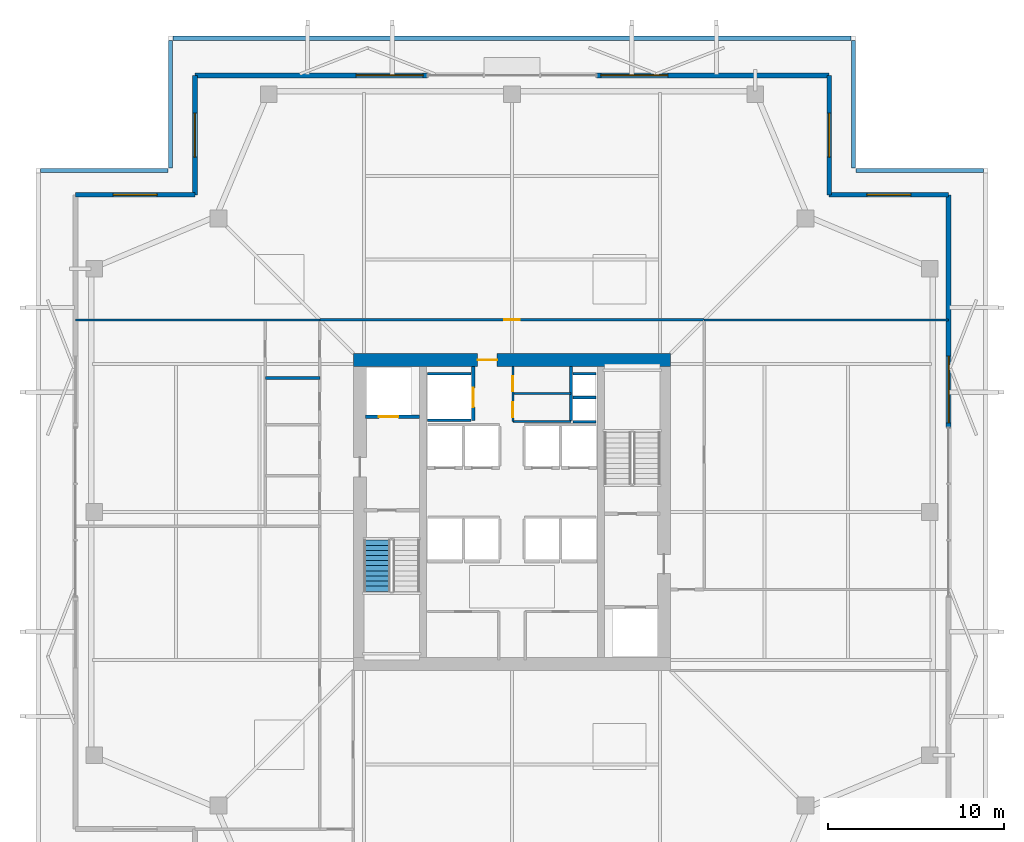
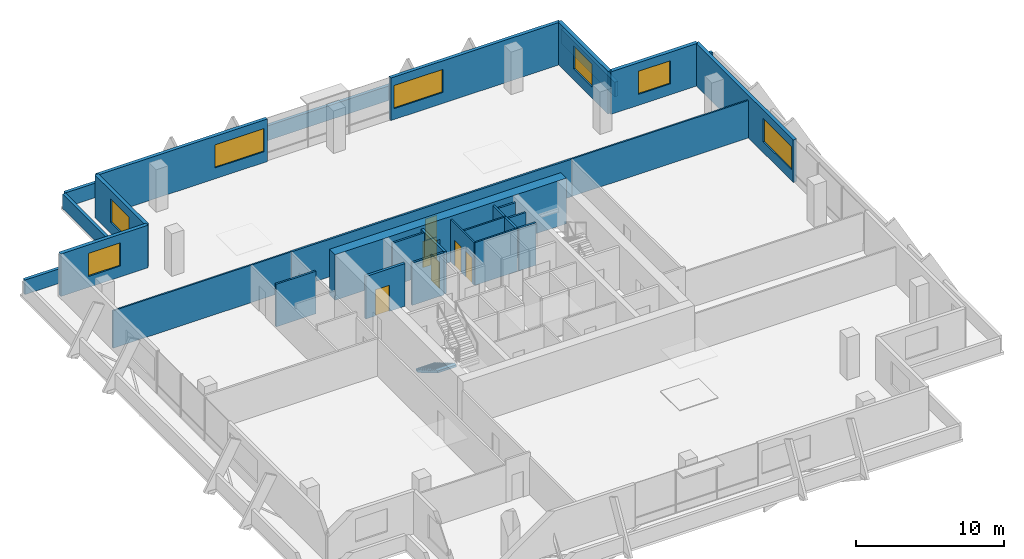
# One storey, part 14 of 17: 28 walls, 7 windows, 6 doors, 1 stair flight, 13 openings, 1 element without a shape of its own.
"""IFC4 building model written with IfcOpenShell, lengths in metres."""

from ifc_helpers import new_model, si_unit, direction, frame, frame_2d, origin, place, context, subcontext, project, spatial, polyline, rectangle, outline, extrude, material, layer, layer_set, type_object, element, fill, aggregate, save


model = new_model("IFC4")

# Units and contexts
model_context = context("Model", 3, precision=1e-05, world=origin(), true_north=direction((0.0, 1.0)))
body_context = subcontext(model_context, "Body", "Model", "MODEL_VIEW")
ifc_project = project(units=[si_unit("LENGTHUNIT", "METRE"), si_unit("AREAUNIT", "SQUARE_METRE"), si_unit("VOLUMEUNIT", "CUBIC_METRE"), si_unit("PLANEANGLEUNIT", "RADIAN"), si_unit("MASSUNIT", "GRAM", prefix="KILO")], contexts=[model_context])

# Site, building, storey
site_placement = place(None, origin())
site = spatial("IfcSite", under=ifc_project, at=site_placement, CompositionType="ELEMENT")
building_placement = place(site_placement, origin())
building = spatial("IfcBuilding", under=site, at=building_placement, Name="Belovzor Exchange Tower", CompositionType="ELEMENT")
storey_placement = place(building_placement, frame((0.0, 0.0, 246.60009765625)))
storey = spatial("IfcBuildingStorey", under=building, at=storey_placement, Name="L61", CompositionType="ELEMENT", Elevation=246.60009765625)

# Walls
ifc_material_1 = material(Name="Acoustic Plasterboard on Galvanised Studs", Category="gypsum")
ifc_layer_1 = layer(ifc_material_1, 0.1201171875)
ifc_layer_set_1 = layer_set([ifc_layer_1], Name="Acoustic Plasterboard on Galvanised Studs")
wall_type_1 = type_object("IfcWallType", Name="Acoustic Double-Stud Partition Wall 120", PredefinedType="PARTITIONING", material=ifc_layer_set_1)
wall_1_placement = place(storey_placement, frame((4.030029296875, 39.699951171875, 0.0), z_axis=(0.0, 0.0, 1.0), x_axis=(1.0, 0.0, 0.0)))
element("IfcWall", 1, at=wall_1_placement, inside=storey, type_object=wall_type_1, Name="W-P120 Partition Wall W-L61-END-NW", PredefinedType="PARTITIONING", context=body_context, shape_type="SweptSolid", body=[
    extrude(rectangle(XDim=13.869873046875, YDim=0.1201171875, at=frame_2d((6.93505859375, 0.0))), origin(), (0.0, 0.0, 1.0), 3.0849609375),
])
wall_2_placement = place(storey_placement, frame((39.699951171875, 39.699951171875, 0.0), z_axis=(0.0, 0.0, 1.0), x_axis=(1.0, 0.0, 0.0)))
element("IfcWall", 2, at=wall_2_placement, inside=storey, type_object=wall_type_1, Name="W-P120 Partition Wall W-L61-END-NE", PredefinedType="PARTITIONING", context=body_context, shape_type="SweptSolid", body=[
    extrude(rectangle(XDim=13.8701171875, YDim=0.1201171875, at=frame_2d((6.93505859375, 0.0))), origin(), (0.0, 0.0, 1.0), 3.0849609375),
])

# Wall, openings, doors
ifc_material_2 = material(Name="Fire-Rated Plasterboard on Galvanised Studs", Category="gypsum")
ifc_layer_2 = layer(ifc_material_2, 0.1201171875)
ifc_layer_set_2 = layer_set([ifc_layer_2], Name="Fire-Rated Plasterboard on Galvanised Studs")
wall_type_2 = type_object("IfcWallType", Name="Fire-Rated Double-Stud Partition Wall 120", PredefinedType="PARTITIONING", material=ifc_layer_set_2)
wall_3_placement = place(storey_placement, frame((28.85009765625, 33.925048828125, 0.0), z_axis=(0.0, 0.0, 1.0), x_axis=(0.0, 1.0, 0.0)))
wall_3 = element("IfcWall", 3, at=wall_3_placement, inside=storey, type_object=wall_type_2, Name="W-P120F Partition Wall W-CRV-L61-W", PredefinedType="PARTITIONING", context=body_context, shape_type="SweptSolid", body=[
    extrude(rectangle(XDim=3.125, YDim=0.1201171875, at=frame_2d((1.5625, 0.0))), origin(), (0.0, 0.0, 1.0), 3.5),
])
opening_1_placement = place(wall_3_placement, frame((0.25, 0.0, 0.0)))
opening_1 = element("IfcOpeningElement", 4, at=opening_1_placement, cuts=wall_3, Name="Opening D-FD60-085", PredefinedType="OPENING", context=body_context, shape_type="SweptSolid", body=[
    extrude(rectangle(XDim=0.85009765625, YDim=2.10009765625, at=frame_2d((0.425048828125, 1.050048828125))), frame((0.0, 0.070068359375, 0.0), z_axis=(0.0, -1.0, 0.0), x_axis=(1.0, 0.0, 0.0)), (0.0, 0.0, 1.0), 0.14013671875),
])
opening_2_placement = place(wall_3_placement, frame((1.719970703125, 0.0, 0.0)))
opening_2 = element("IfcOpeningElement", 5, at=opening_2_placement, cuts=wall_3, Name="Opening D-FD60-085", PredefinedType="OPENING", context=body_context, shape_type="SweptSolid", body=[
    extrude(rectangle(XDim=0.85009765625, YDim=2.10009765625, at=frame_2d((0.425048828125, 1.050048828125))), frame((0.0, 0.070068359375, 0.0), z_axis=(0.0, -1.0, 0.0), x_axis=(1.0, 0.0, 0.0)), (0.0, 0.0, 1.0), 0.14013671875),
])
ifc_material_3 = material(Name="Fire-Rated Steel Access Leaf", Category="steel")
door_type_1 = type_object("IfcDoorType", Name="Riser & Meter Closet Access Fire Door 850x2100", OperationType="NOTDEFINED", PredefinedType="DOOR", material=ifc_material_3)
door_1_placement = place(opening_1_placement, origin())
door_1 = element("IfcDoor", 6, at=door_1_placement, inside=storey, type_object=door_type_1, Name="D-FD60-085 Riser & Meter Closet Access Fire Door 850x2100", OperationType="SINGLE_SWING_LEFT", OverallHeight=2.10009765625, OverallWidth=0.85009765625, PredefinedType="DOOR", context=body_context, shape_type="SweptSolid", body=[
    extrude(rectangle(XDim=0.85009765625, YDim=2.10009765625, at=frame_2d((0.425048828125, 1.050048828125))), frame((0.0, 0.02490234375, 0.0), z_axis=(0.0, -1.0, 0.0), x_axis=(1.0, 0.0, 0.0)), (0.0, 0.0, 1.0), 0.050048828125),
])
fill(opening_1, door_1)
door_2_placement = place(opening_2_placement, origin())
door_2 = element("IfcDoor", 7, at=door_2_placement, inside=storey, type_object=door_type_1, Name="D-FD60-085 Riser & Meter Closet Access Fire Door 850x2100", OperationType="SINGLE_SWING_RIGHT", OverallHeight=2.10009765625, OverallWidth=0.85009765625, PredefinedType="DOOR", context=body_context, shape_type="SweptSolid", body=[
    extrude(rectangle(XDim=0.85009765625, YDim=2.10009765625, at=frame_2d((0.425048828125, 1.050048828125))), frame((0.0, 0.02490234375, 0.0), z_axis=(0.0, -1.0, 0.0), x_axis=(1.0, 0.0, 0.0)), (0.0, 0.0, 1.0), 0.050048828125),
])
fill(opening_2, door_2)

# Walls
for number, where, z_axis, x_axis, name in (
    (8, (28.85009765625, 35.52490234375, 0.0), (0.0, 0.0, 1.0), (1.0, 0.0, 0.0), "W-P120F Partition Wall W-CRV-L61-M"),
    (9, (28.85009765625, 33.925048828125, 0.0), (0.0, 0.0, 1.0), (1.0, 0.0, 0.0), "W-P120F Partition Wall W-CRV-L61-S"),
):
    element("IfcWall", number, at=place(storey_placement, frame(where, z_axis=z_axis, x_axis=x_axis)), inside=storey, type_object=wall_type_2, Name=name, PredefinedType="PARTITIONING", context=body_context, shape_type="SweptSolid", body=[
        extrude(rectangle(XDim=3.2998046875, YDim=0.1201171875, at=frame_2d((1.64990234375, 0.0))), origin(), (0.0, 0.0, 1.0), 3.5),
    ])
ifc_material_4 = material(Name="Fire-Rated Gypsum Block and Mineral Wool", Category="gypsum")
ifc_layer_3 = layer(ifc_material_4, 0.14990234375)
ifc_layer_set_3 = layer_set([ifc_layer_3], Name="Fire-Rated Gypsum Block and Mineral Wool")
wall_type_3 = type_object("IfcWallType", Name="Fire-Rated Gypsum Block Corridor Wall 150", PredefinedType="PARTITIONING", material=ifc_layer_set_3)
wall_4_placement = place(storey_placement, frame((14.800048828125, 36.39990234375, 0.0), z_axis=(0.0, 0.0, 1.0), x_axis=(1.0, 0.0, 0.0)))
element("IfcWall", 10, at=wall_4_placement, inside=storey, type_object=wall_type_3, Name="W-P150 Partition Wall W-L61-WCN", PredefinedType="PARTITIONING", context=body_context, shape_type="SweptSolid", body=[
    extrude(rectangle(XDim=3.099853515625, YDim=0.14990234375, at=frame_2d((1.5498046875, 0.0))), origin(), (0.0, 0.0, 1.0), 3.5),
])

# Wall, opening, door
wall_5_placement = place(storey_placement, frame((17.89990234375, 39.699951171875, 0.0), z_axis=(0.0, 0.0, 1.0), x_axis=(1.0, 0.0, 0.0)))
wall_5 = element("IfcWall", 11, at=wall_5_placement, inside=storey, type_object=wall_type_3, Name="W-P150 Partition Wall W-L61-CN", PredefinedType="PARTITIONING", context=body_context, shape_type="SweptSolid", body=[
    extrude(rectangle(XDim=21.800048828125, YDim=0.14990234375, at=frame_2d((10.89990234375, 0.0))), origin(), (0.0, 0.0, 1.0), 3.0849609375),
])
opening_3_placement = place(wall_5_placement, frame((10.449951171875, 0.0, 0.0)))
opening_3 = element("IfcOpeningElement", 12, at=opening_3_placement, cuts=wall_5, Name="Opening D-INT-090", PredefinedType="OPENING", context=body_context, shape_type="SweptSolid", body=[
    extrude(rectangle(XDim=0.89990234375, YDim=2.10009765625, at=frame_2d((0.449951171875, 1.050048828125))), frame((0.0, 0.0849609375, 0.0), z_axis=(0.0, -1.0, 0.0), x_axis=(1.0, 0.0, 0.0)), (0.0, 0.0, 1.0), 0.169921875),
])
ifc_material_5 = material(Name="Veneered Hardwood Acoustic Leaf", Category="wood")
door_type_2 = type_object("IfcDoorType", Name="Trading Suite Acoustic Single Door 900x2100", OperationType="NOTDEFINED", PredefinedType="DOOR", material=ifc_material_5)
door_3_placement = place(opening_3_placement, origin())
door_3 = element("IfcDoor", 13, at=door_3_placement, inside=storey, type_object=door_type_2, Name="D-INT-090 Trading Suite Acoustic Single Door 900x2100", OperationType="SINGLE_SWING_LEFT", OverallHeight=2.10009765625, OverallWidth=0.89990234375, PredefinedType="DOOR", context=body_context, shape_type="SweptSolid", body=[
    extrude(rectangle(XDim=0.89990234375, YDim=2.10009765625, at=frame_2d((0.449951171875, 1.050048828125))), frame((0.0, 0.02490234375, 0.0), z_axis=(0.0, -1.0, 0.0), x_axis=(1.0, 0.0, 0.0)), (0.0, 0.0, 1.0), 0.050048828125),
])
fill(opening_3, door_3)

# Wall, opening, window
ifc_material_6 = material(Name="Precast concrete C40/50", Category="concrete")
ifc_layer_4 = layer(ifc_material_6, 0.280029296875)
ifc_layer_set_4 = layer_set([ifc_layer_4], Name="Precast concrete C40/50")
wall_type_4 = type_object("IfcWallType", Name="Precast Concrete Notched Corner Frame Wall 280", PredefinedType="SOLIDWALL", material=ifc_layer_set_4)
wall_6_placement = place(storey_placement, frame((4.030029296875, 46.800048828125, 0.0), z_axis=(0.0, 0.0, 1.0), x_axis=(1.0, 0.0, 0.0)))
wall_6 = element("IfcWall", 14, at=wall_6_placement, inside=storey, type_object=wall_type_4, Name="W-CRN280 Precast Concrete Notched Corner Frame Wall 280 L61", PredefinedType="SOLIDWALL", context=body_context, shape_type="SweptSolid", body=[
    extrude(rectangle(XDim=6.77001953125, YDim=0.280029296875, at=frame_2d((3.385009765625, 0.0))), origin(), (0.0, 0.0, 1.0), 3.5),
])
opening_4_placement = place(wall_6_placement, frame((2.135009765625, 0.0, 0.89990234375)))
opening_4 = element("IfcOpeningElement", 15, at=opening_4_placement, cuts=wall_6, Name="Opening WN-CRN250", PredefinedType="OPENING", context=body_context, shape_type="SweptSolid", body=[
    extrude(rectangle(XDim=2.5, YDim=1.89990234375, at=frame_2d((1.25, 0.949951171875))), frame((0.0, 0.14990234375, 0.0), z_axis=(0.0, -1.0, 0.0), x_axis=(1.0, 0.0, 0.0)), (0.0, 0.0, 1.0), 0.300048828125),
])
ifc_material_7 = material(Name="Thermally Broken Aluminium and Triple Glazing", Category="aluminium")
window_type_1 = type_object("IfcWindowType", Name="Streamline Moderne Corner Wrap Ribbon Window 2500x1900", PartitioningType="SINGLE_PANEL", PredefinedType="WINDOW", material=ifc_material_7)
window_1_placement = place(opening_4_placement, origin())
window_1 = element("IfcWindow", 16, at=window_1_placement, inside=storey, type_object=window_type_1, Name="WN-CRN250 Streamline Moderne Corner Wrap Ribbon Window 2500x1900", OverallHeight=1.89990234375, OverallWidth=2.5, PartitioningType="SINGLE_PANEL", PredefinedType="WINDOW", context=body_context, shape_type="SweptSolid", body=[
    extrude(rectangle(XDim=2.5, YDim=1.89990234375, at=frame_2d((1.25, 0.949951171875))), frame((0.0, 0.030029296875, 0.0), z_axis=(0.0, -1.0, 0.0), x_axis=(1.0, 0.0, 0.0)), (0.0, 0.0, 1.0), 0.06005859375),
])
fill(opening_4, window_1)

wall_7_placement = place(storey_placement, frame((10.800048828125, 46.800048828125, 0.0), z_axis=(0.0, 0.0, 1.0), x_axis=(0.0, 1.0, 0.0)))
wall_7 = element("IfcWall", 17, at=wall_7_placement, inside=storey, type_object=wall_type_4, Name="W-CRN280 Precast Concrete Notched Corner Frame Wall 280 L61", PredefinedType="SOLIDWALL", context=body_context, shape_type="SweptSolid", body=[
    extrude(rectangle(XDim=6.77001953125, YDim=0.280029296875, at=frame_2d((3.385009765625, 0.0))), origin(), (0.0, 0.0, 1.0), 3.5),
])
opening_5_placement = place(wall_7_placement, frame((2.135009765625, 0.0, 0.89990234375)))
opening_5 = element("IfcOpeningElement", 18, at=opening_5_placement, cuts=wall_7, Name="Opening WN-CRN250", PredefinedType="OPENING", context=body_context, shape_type="SweptSolid", body=[
    extrude(rectangle(XDim=2.5, YDim=1.89990234375, at=frame_2d((1.25, 0.949951171875))), frame((0.0, 0.14990234375, 0.0), z_axis=(0.0, -1.0, 0.0), x_axis=(1.0, 0.0, 0.0)), (0.0, 0.0, 1.0), 0.300048828125),
])
window_2_placement = place(opening_5_placement, origin())
window_2 = element("IfcWindow", 19, at=window_2_placement, inside=storey, type_object=window_type_1, Name="WN-CRN250 Streamline Moderne Corner Wrap Ribbon Window 2500x1900", OverallHeight=1.89990234375, OverallWidth=2.5, PartitioningType="SINGLE_PANEL", PredefinedType="WINDOW", context=body_context, shape_type="SweptSolid", body=[
    extrude(rectangle(XDim=2.5, YDim=1.89990234375, at=frame_2d((1.25, 0.949951171875))), frame((0.0, 0.030029296875, 0.0), z_axis=(0.0, -1.0, 0.0), x_axis=(1.0, 0.0, 0.0)), (0.0, 0.0, 1.0), 0.06005859375),
])
fill(opening_5, window_2)

wall_8_placement = place(storey_placement, frame((46.800048828125, 53.570068359375, 0.0), z_axis=(0.0, 0.0, 1.0), x_axis=(0.0, -1.0, 0.0)))
wall_8 = element("IfcWall", 20, at=wall_8_placement, inside=storey, type_object=wall_type_4, Name="W-CRN280 Precast Concrete Notched Corner Frame Wall 280 L61", PredefinedType="SOLIDWALL", context=body_context, shape_type="SweptSolid", body=[
    extrude(rectangle(XDim=6.77001953125, YDim=0.280029296875, at=frame_2d((3.385009765625, 0.0))), origin(), (0.0, 0.0, 1.0), 3.5),
])
opening_6_placement = place(wall_8_placement, frame((2.135009765625, 0.0, 0.89990234375)))
opening_6 = element("IfcOpeningElement", 21, at=opening_6_placement, cuts=wall_8, Name="Opening WN-CRN250", PredefinedType="OPENING", context=body_context, shape_type="SweptSolid", body=[
    extrude(rectangle(XDim=2.5, YDim=1.89990234375, at=frame_2d((1.25, 0.949951171875))), frame((0.0, 0.14990234375, 0.0), z_axis=(0.0, -1.0, 0.0), x_axis=(1.0, 0.0, 0.0)), (0.0, 0.0, 1.0), 0.300048828125),
])
window_3_placement = place(opening_6_placement, origin())
window_3 = element("IfcWindow", 22, at=window_3_placement, inside=storey, type_object=window_type_1, Name="WN-CRN250 Streamline Moderne Corner Wrap Ribbon Window 2500x1900", OverallHeight=1.89990234375, OverallWidth=2.5, PartitioningType="SINGLE_PANEL", PredefinedType="WINDOW", context=body_context, shape_type="SweptSolid", body=[
    extrude(rectangle(XDim=2.5, YDim=1.89990234375, at=frame_2d((1.25, 0.949951171875))), frame((0.0, 0.030029296875, 0.0), z_axis=(0.0, -1.0, 0.0), x_axis=(1.0, 0.0, 0.0)), (0.0, 0.0, 1.0), 0.06005859375),
])
fill(opening_6, window_3)

wall_9_placement = place(storey_placement, frame((46.800048828125, 46.800048828125, 0.0), z_axis=(0.0, 0.0, 1.0), x_axis=(1.0, 0.0, 0.0)))
wall_9 = element("IfcWall", 23, at=wall_9_placement, inside=storey, type_object=wall_type_4, Name="W-CRN280 Precast Concrete Notched Corner Frame Wall 280 L61", PredefinedType="SOLIDWALL", context=body_context, shape_type="SweptSolid", body=[
    extrude(rectangle(XDim=6.77001953125, YDim=0.280029296875, at=frame_2d((3.385009765625, 0.0))), origin(), (0.0, 0.0, 1.0), 3.5),
])
opening_7_placement = place(wall_9_placement, frame((2.135009765625, 0.0, 0.89990234375)))
opening_7 = element("IfcOpeningElement", 24, at=opening_7_placement, cuts=wall_9, Name="Opening WN-CRN250", PredefinedType="OPENING", context=body_context, shape_type="SweptSolid", body=[
    extrude(rectangle(XDim=2.5, YDim=1.89990234375, at=frame_2d((1.25, 0.949951171875))), frame((0.0, 0.14990234375, 0.0), z_axis=(0.0, -1.0, 0.0), x_axis=(1.0, 0.0, 0.0)), (0.0, 0.0, 1.0), 0.300048828125),
])
window_4_placement = place(opening_7_placement, origin())
window_4 = element("IfcWindow", 25, at=window_4_placement, inside=storey, type_object=window_type_1, Name="WN-CRN250 Streamline Moderne Corner Wrap Ribbon Window 2500x1900", OverallHeight=1.89990234375, OverallWidth=2.5, PartitioningType="SINGLE_PANEL", PredefinedType="WINDOW", context=body_context, shape_type="SweptSolid", body=[
    extrude(rectangle(XDim=2.5, YDim=1.89990234375, at=frame_2d((1.25, 0.949951171875))), frame((0.0, 0.030029296875, 0.0), z_axis=(0.0, -1.0, 0.0), x_axis=(1.0, 0.0, 0.0)), (0.0, 0.0, 1.0), 0.06005859375),
])
fill(opening_7, window_4)

ifc_material_8 = material(Name="Precast concrete C40/50", Category="concrete")
ifc_layer_5 = layer(ifc_material_8, 0.260009765625)
ifc_layer_set_5 = layer_set([ifc_layer_5], Name="Precast concrete C40/50")
wall_type_5 = type_object("IfcWallType", Name="Precast Concrete Perimeter Loggia Frame Wall 260", PredefinedType="SOLIDWALL", material=ifc_layer_set_5)
wall_10_placement = place(storey_placement, frame((10.800048828125, 53.570068359375, 0.0), z_axis=(0.0, 0.0, 1.0), x_axis=(1.0, 0.0, 0.0)))
wall_10 = element("IfcWall", 26, at=wall_10_placement, inside=storey, type_object=wall_type_5, Name="W-EXT260 Precast Concrete Perimeter Loggia Frame Wall 260 L61", PredefinedType="SOLIDWALL", context=body_context, shape_type="SweptSolid", body=[
    extrude(rectangle(XDim=13.199951171875, YDim=0.260009765625, at=frame_2d((6.60009765625, 0.0))), origin(), (0.0, 0.0, 1.0), 3.5),
])
opening_8_placement = place(wall_10_placement, frame((9.14990234375, 0.0, 0.89990234375)))
opening_8 = element("IfcOpeningElement", 27, at=opening_8_placement, cuts=wall_10, Name="Opening WN-RIB380", PredefinedType="OPENING", context=body_context, shape_type="SweptSolid", body=[
    extrude(rectangle(XDim=3.800048828125, YDim=1.89990234375, at=frame_2d((1.89990234375, 0.949951171875))), frame((0.0, 0.139892578125, 0.0), z_axis=(0.0, -1.0, 0.0), x_axis=(1.0, 0.0, 0.0)), (0.0, 0.0, 1.0), 0.280029296875),
])
ifc_material_9 = material(Name="Thermally Broken Aluminium and Triple Glazing", Category="aluminium")
window_type_2 = type_object("IfcWindowType", Name="Streamline Moderne Horizontal Ribbon Window 3800x1900", PartitioningType="SINGLE_PANEL", PredefinedType="WINDOW", material=ifc_material_9)
window_5_placement = place(opening_8_placement, origin())
window_5 = element("IfcWindow", 28, at=window_5_placement, inside=storey, type_object=window_type_2, Name="WN-RIB380 Streamline Moderne Horizontal Ribbon Window 3800x1900", OverallHeight=1.89990234375, OverallWidth=3.800048828125, PartitioningType="SINGLE_PANEL", PredefinedType="WINDOW", context=body_context, shape_type="SweptSolid", body=[
    extrude(rectangle(XDim=3.800048828125, YDim=1.89990234375, at=frame_2d((1.89990234375, 0.949951171875))), frame((0.0, 0.030029296875, 0.0), z_axis=(0.0, -1.0, 0.0), x_axis=(1.0, 0.0, 0.0)), (0.0, 0.0, 1.0), 0.06005859375),
])
fill(opening_8, window_5)

wall_11_placement = place(storey_placement, frame((33.60009765625, 53.570068359375, 0.0), z_axis=(0.0, 0.0, 1.0), x_axis=(1.0, 0.0, 0.0)))
wall_11 = element("IfcWall", 29, at=wall_11_placement, inside=storey, type_object=wall_type_5, Name="W-EXT260 Precast Concrete Perimeter Loggia Frame Wall 260 L61", PredefinedType="SOLIDWALL", context=body_context, shape_type="SweptSolid", body=[
    extrude(rectangle(XDim=13.199951171875, YDim=0.260009765625, at=frame_2d((6.60009765625, 0.0))), origin(), (0.0, 0.0, 1.0), 3.5),
])
opening_9_placement = place(wall_11_placement, frame((0.25, 0.0, 0.89990234375)))
opening_9 = element("IfcOpeningElement", 30, at=opening_9_placement, cuts=wall_11, Name="Opening WN-RIB380", PredefinedType="OPENING", context=body_context, shape_type="SweptSolid", body=[
    extrude(rectangle(XDim=3.800048828125, YDim=1.89990234375, at=frame_2d((1.89990234375, 0.949951171875))), frame((0.0, 0.139892578125, 0.0), z_axis=(0.0, -1.0, 0.0), x_axis=(1.0, 0.0, 0.0)), (0.0, 0.0, 1.0), 0.280029296875),
])
window_6_placement = place(opening_9_placement, origin())
window_6 = element("IfcWindow", 31, at=window_6_placement, inside=storey, type_object=window_type_2, Name="WN-RIB380 Streamline Moderne Horizontal Ribbon Window 3800x1900", OverallHeight=1.89990234375, OverallWidth=3.800048828125, PartitioningType="SINGLE_PANEL", PredefinedType="WINDOW", context=body_context, shape_type="SweptSolid", body=[
    extrude(rectangle(XDim=3.800048828125, YDim=1.89990234375, at=frame_2d((1.89990234375, 0.949951171875))), frame((0.0, 0.030029296875, 0.0), z_axis=(0.0, -1.0, 0.0), x_axis=(1.0, 0.0, 0.0)), (0.0, 0.0, 1.0), 0.06005859375),
])
fill(opening_9, window_6)

wall_12_placement = place(storey_placement, frame((53.570068359375, 46.800048828125, 0.0), z_axis=(0.0, 0.0, 1.0), x_axis=(0.0, -1.0, 0.0)))
wall_12 = element("IfcWall", 32, at=wall_12_placement, inside=storey, type_object=wall_type_5, Name="W-EXT260 Precast Concrete Perimeter Loggia Frame Wall 260 L61", PredefinedType="SOLIDWALL", context=body_context, shape_type="SweptSolid", body=[
    extrude(rectangle(XDim=13.199951171875, YDim=0.260009765625, at=frame_2d((6.60009765625, 0.0))), origin(), (0.0, 0.0, 1.0), 3.5),
])
opening_10_placement = place(wall_12_placement, frame((9.14990234375, 0.0, 0.89990234375)))
opening_10 = element("IfcOpeningElement", 33, at=opening_10_placement, cuts=wall_12, Name="Opening WN-RIB380", PredefinedType="OPENING", context=body_context, shape_type="SweptSolid", body=[
    extrude(rectangle(XDim=3.800048828125, YDim=1.89990234375, at=frame_2d((1.89990234375, 0.949951171875))), frame((0.0, 0.139892578125, 0.0), z_axis=(0.0, -1.0, 0.0), x_axis=(1.0, 0.0, 0.0)), (0.0, 0.0, 1.0), 0.280029296875),
])
window_7_placement = place(opening_10_placement, origin())
window_7 = element("IfcWindow", 34, at=window_7_placement, inside=storey, type_object=window_type_2, Name="WN-RIB380 Streamline Moderne Horizontal Ribbon Window 3800x1900", OverallHeight=1.89990234375, OverallWidth=3.800048828125, PartitioningType="SINGLE_PANEL", PredefinedType="WINDOW", context=body_context, shape_type="SweptSolid", body=[
    extrude(rectangle(XDim=3.800048828125, YDim=1.89990234375, at=frame_2d((1.89990234375, 0.949951171875))), frame((0.0, 0.030029296875, 0.0), z_axis=(0.0, -1.0, 0.0), x_axis=(1.0, 0.0, 0.0)), (0.0, 0.0, 1.0), 0.06005859375),
])
fill(opening_10, window_7)

# Walls
ifc_material_10 = material(Name="Precast concrete C40/50", Category="concrete")
ifc_layer_6 = layer(ifc_material_10, 0.239990234375)
ifc_layer_set_6 = layer_set([ifc_layer_6], Name="Precast concrete C40/50")
wall_type_6 = type_object("IfcWallType", Name="Precast Stone Setback Roof Parapet Wall 240", PredefinedType="PARAPET", material=ifc_layer_set_6)
for number, where, z_axis, x_axis, name in (
    (35, (55.544921875, 48.179931640625, 0.0), (0.0, 0.0, 1.0), (-1.0, 0.0, 0.0), "W-PAR240 Precast Stone Setback Roof Parapet Wall 240 L61"),
    (36, (48.179931640625, 48.31494140625, 0.0), (0.0, 0.0, 1.0), (0.0, 1.0, 0.0), "W-PAR240 Precast Stone Setback Roof Parapet Wall 240 L61"),
):
    element("IfcWall", number, at=place(storey_placement, frame(where, z_axis=z_axis, x_axis=x_axis)), inside=storey, type_object=wall_type_6, Name=name, PredefinedType="PARAPET", context=body_context, shape_type="SweptSolid", body=[
        extrude(rectangle(XDim=7.22998046875, YDim=0.239990234375, at=frame_2d((3.614990234375, 0.0))), origin(), (0.0, 0.0, 1.0), 1.199951171875),
    ])
wall_13_placement = place(storey_placement, frame((48.044921875, 55.679931640625, 0.0), z_axis=(0.0, 0.0, 1.0), x_axis=(-1.0, 0.0, 0.0)))
element("IfcWall", 37, at=wall_13_placement, inside=storey, type_object=wall_type_6, Name="W-PAR240 Precast Stone Setback Roof Parapet Wall 240 L61", PredefinedType="PARAPET", context=body_context, shape_type="SweptSolid", body=[
    extrude(rectangle(XDim=38.489990234375, YDim=0.239990234375, at=frame_2d((19.2451171875, 0.0))), origin(), (0.0, 0.0, 1.0), 1.199951171875),
])
for number, where, z_axis, x_axis, name in (
    (38, (9.419921875, 55.544921875, 0.0), (0.0, 0.0, 1.0), (0.0, -1.0, 0.0), "W-PAR240 Precast Stone Setback Roof Parapet Wall 240 L61"),
    (39, (9.284912109375, 48.179931640625, 0.0), (0.0, 0.0, 1.0), (-1.0, 0.0, 0.0), "W-PAR240 Precast Stone Setback Roof Parapet Wall 240 L61"),
):
    element("IfcWall", number, at=place(storey_placement, frame(where, z_axis=z_axis, x_axis=x_axis)), inside=storey, type_object=wall_type_6, Name=name, PredefinedType="PARAPET", context=body_context, shape_type="SweptSolid", body=[
        extrude(rectangle(XDim=7.22998046875, YDim=0.239990234375, at=frame_2d((3.614990234375, 0.0))), origin(), (0.0, 0.0, 1.0), 1.199951171875),
    ])
ifc_material_11 = material(Name="Concrete C50/60", Category="concrete")
ifc_layer_7 = layer(ifc_material_11, 0.14990234375)
ifc_layer_set_7 = layer_set([ifc_layer_7], Name="Concrete C50/60")
wall_type_7 = type_object("IfcWallType", Name="Reinforced Concrete Core Riser Shear Wall 150", PredefinedType="SHEAR", material=ifc_layer_set_7)
wall_14_placement = place(storey_placement, frame((32.14990234375, 34.0, 0.0), z_axis=(0.0, 0.0, 1.0), x_axis=(0.0, 1.0, 0.0)))
element("IfcWall", 40, at=wall_14_placement, inside=storey, type_object=wall_type_7, Name="W-C150S Core Shaft Wall W-RSR-L61-E", PredefinedType="SHEAR", context=body_context, shape_type="SweptSolid", body=[
    extrude(rectangle(XDim=3.050048828125, YDim=0.14990234375, at=frame_2d((1.52490234375, 0.0))), origin(), (0.0, 0.0, 1.0), 3.5),
])
for number, where, z_axis, x_axis, name in (
    (41, (32.25, 33.925048828125, 0.0), (0.0, 0.0, 1.0), (1.0, 0.0, 0.0), "W-C150S Core Shaft Wall W-RSR-L61-S"),
    (42, (32.25, 35.300048828125, 0.0), (0.0, 0.0, 1.0), (1.0, 0.0, 0.0), "W-C150S Core Shaft Wall W-RSR-L61-M"),
):
    element("IfcWall", number, at=place(storey_placement, frame(where, z_axis=z_axis, x_axis=x_axis)), inside=storey, type_object=wall_type_7, Name=name, PredefinedType="SHEAR", context=body_context, shape_type="SweptSolid", body=[
        extrude(rectangle(XDim=1.330078125, YDim=0.14990234375, at=frame_2d((0.6650390625, 0.0))), origin(), (0.0, 0.0, 1.0), 3.5),
    ])
for number, where, z_axis, x_axis, name in (
    (43, (24.0, 34.0, 0.0), (0.0, 0.0, 1.0), (1.0, 0.0, 0.0), "W-C150S Core Shaft Wall W-SH-L61-SL-01S"),
    (44, (24.0, 36.64990234375, 0.0), (0.0, 0.0, 1.0), (1.0, 0.0, 0.0), "W-C150S Core Shaft Wall W-SH-L61-SL-01N"),
):
    element("IfcWall", number, at=place(storey_placement, frame(where, z_axis=z_axis, x_axis=x_axis)), inside=storey, type_object=wall_type_7, Name=name, PredefinedType="SHEAR", context=body_context, shape_type="SweptSolid", body=[
        extrude(rectangle(XDim=2.47998046875, YDim=0.14990234375, at=frame_2d((1.239990234375, 0.0))), origin(), (0.0, 0.0, 1.0), 3.5),
    ])
wall_15_placement = place(storey_placement, frame((32.25, 36.64990234375, 0.0), z_axis=(0.0, 0.0, 1.0), x_axis=(1.0, 0.0, 0.0)))
element("IfcWall", 45, at=wall_15_placement, inside=storey, type_object=wall_type_7, Name="W-C150S Core Shaft Wall W-RSR-L61-N", PredefinedType="SHEAR", context=body_context, shape_type="SweptSolid", body=[
    extrude(rectangle(XDim=1.330078125, YDim=0.14990234375, at=frame_2d((0.6650390625, 0.0))), origin(), (0.0, 0.0, 1.0), 3.5),
])

# Wall, opening, door
ifc_material_12 = material(Name="Concrete C50/60", Category="concrete")
ifc_layer_8 = layer(ifc_material_12, 0.199951171875)
ifc_layer_set_8 = layer_set([ifc_layer_8], Name="Concrete C50/60")
wall_type_8 = type_object("IfcWallType", Name="Reinforced Concrete Core Shaft Shear Wall 200", PredefinedType="SHEAR", material=ifc_layer_set_8)
wall_16_placement = place(storey_placement, frame((20.5, 34.199951171875, 0.0), z_axis=(0.0, 0.0, 1.0), x_axis=(1.0, 0.0, 0.0)))
wall_16 = element("IfcWall", 46, at=wall_16_placement, inside=storey, type_object=wall_type_8, Name="W-C200S Core Shaft Wall W-SH-L61-FFL-01", PredefinedType="SHEAR", context=body_context, shape_type="SweptSolid", body=[
    extrude(rectangle(XDim=3.050048828125, YDim=0.199951171875, at=frame_2d((1.52490234375, 0.0))), origin(), (0.0, 0.0, 1.0), 3.5),
])
opening_11_placement = place(wall_16_placement, frame((0.75, 0.0, 0.0)))
opening_11 = element("IfcOpeningElement", 47, at=opening_11_placement, cuts=wall_16, Name="Opening LD-110", PredefinedType="OPENING", context=body_context, shape_type="SweptSolid", body=[
    extrude(rectangle(XDim=1.10009765625, YDim=2.14990234375, at=frame_2d((0.550048828125, 1.074951171875))), frame((0.0, 0.10986328125, 0.0), z_axis=(0.0, -1.0, 0.0), x_axis=(1.0, 0.0, 0.0)), (0.0, 0.0, 1.0), 0.219970703125),
])
ifc_material_13 = material(Name="Stainless Steel Grade 304", Category="steel")
door_type_3 = type_object("IfcDoorType", Name="Automated Stainless Steel Lift Landing Door 1100x2150", OperationType="SLIDING_TO_RIGHT", PredefinedType="DOOR", material=ifc_material_13)
door_4_placement = place(opening_11_placement, origin())
door_4 = element("IfcDoor", 48, at=door_4_placement, inside=storey, type_object=door_type_3, Name="LD-110 Automated Stainless Steel Lift Landing Door 1100x2150", OperationType="SLIDING_TO_RIGHT", OverallHeight=2.14990234375, OverallWidth=1.10009765625, PredefinedType="DOOR", context=body_context, shape_type="SweptSolid", body=[
    extrude(rectangle(XDim=1.10009765625, YDim=2.14990234375, at=frame_2d((0.550048828125, 1.074951171875))), frame((0.0, 0.02490234375, 0.0), z_axis=(0.0, -1.0, 0.0), x_axis=(1.0, 0.0, 0.0)), (0.0, 0.0, 1.0), 0.050048828125),
])
fill(opening_11, door_4)

wall_17_placement = place(storey_placement, frame((26.60009765625, 34.0, 0.0), z_axis=(0.0, 0.0, 1.0), x_axis=(0.0, 1.0, 0.0)))
wall_17 = element("IfcWall", 49, at=wall_17_placement, inside=storey, type_object=wall_type_8, Name="W-C200S Core Shaft Wall W-SH-L61-SL-01", PredefinedType="SHEAR", context=body_context, shape_type="SweptSolid", body=[
    extrude(rectangle(XDim=3.050048828125, YDim=0.199951171875, at=frame_2d((1.52490234375, 0.0))), origin(), (0.0, 0.0, 1.0), 3.5),
])
opening_12_placement = place(wall_17_placement, frame((0.75, 0.0, 0.0)))
opening_12 = element("IfcOpeningElement", 50, at=opening_12_placement, cuts=wall_17, Name="Opening LD-110", PredefinedType="OPENING", context=body_context, shape_type="SweptSolid", body=[
    extrude(rectangle(XDim=1.10009765625, YDim=2.14990234375, at=frame_2d((0.550048828125, 1.074951171875))), frame((0.0, 0.10986328125, 0.0), z_axis=(0.0, -1.0, 0.0), x_axis=(1.0, 0.0, 0.0)), (0.0, 0.0, 1.0), 0.219970703125),
])
door_5_placement = place(opening_12_placement, origin())
door_5 = element("IfcDoor", 51, at=door_5_placement, inside=storey, type_object=door_type_3, Name="LD-110 Automated Stainless Steel Lift Landing Door 1100x2150", OperationType="SLIDING_TO_RIGHT", OverallHeight=2.14990234375, OverallWidth=1.10009765625, PredefinedType="DOOR", context=body_context, shape_type="SweptSolid", body=[
    extrude(rectangle(XDim=1.10009765625, YDim=2.14990234375, at=frame_2d((0.550048828125, 1.074951171875))), frame((0.0, 0.02490234375, 0.0), z_axis=(0.0, -1.0, 0.0), x_axis=(1.0, 0.0, 0.0)), (0.0, 0.0, 1.0), 0.050048828125),
])
fill(opening_12, door_5)

ifc_material_14 = material(Name="Concrete C50/60", Category="concrete")
ifc_layer_9 = layer(ifc_material_14, 0.75)
ifc_layer_set_9 = layer_set([ifc_layer_9], Name="Concrete C50/60")
wall_type_9 = type_object("IfcWallType", Name="Reinforced Concrete Core Shear Wall 750", PredefinedType="SHEAR", material=ifc_layer_set_9)
wall_18_placement = place(storey_placement, frame((19.800048828125, 37.425048828125, 0.0), z_axis=(0.0, 0.0, 1.0), x_axis=(1.0, 0.0, 0.0)))
wall_18 = element("IfcWall", 52, at=wall_18_placement, inside=storey, type_object=wall_type_9, Name="CW-S075 Core Shear Wall L61 N", PredefinedType="SHEAR", context=body_context, shape_type="SweptSolid", body=[
    extrude(rectangle(XDim=18.0, YDim=0.75, at=frame_2d((9.0, 0.0))), origin(), (0.0, 0.0, 1.0), 3.75),
])
opening_13_placement = place(wall_18_placement, frame((7.050048828125, 0.0, 0.0)))
opening_13 = element("IfcOpeningElement", 53, at=opening_13_placement, cuts=wall_18, Name="Opening D-FD90-110", PredefinedType="OPENING", context=body_context, shape_type="SweptSolid", body=[
    extrude(rectangle(XDim=1.10009765625, YDim=2.14990234375, at=frame_2d((0.550048828125, 1.074951171875))), frame((0.0, 0.385009765625, 0.0), z_axis=(0.0, -1.0, 0.0), x_axis=(1.0, 0.0, 0.0)), (0.0, 0.0, 1.0), 0.77001953125),
])
ifc_material_15 = material(Name="Fire-Rated Galvanised Steel Leaf", Category="steel")
door_type_4 = type_object("IfcDoorType", Name="Protected Escape Vestibule Fire Door 1100x2150", OperationType="NOTDEFINED", PredefinedType="DOOR", material=ifc_material_15)
door_6_placement = place(opening_13_placement, origin())
door_6 = element("IfcDoor", 54, at=door_6_placement, inside=storey, type_object=door_type_4, Name="D-FD90-110 Protected Escape Vestibule Fire Door 1100x2150", OperationType="SINGLE_SWING_LEFT", OverallHeight=2.14990234375, OverallWidth=1.10009765625, PredefinedType="DOOR", context=body_context, shape_type="SweptSolid", body=[
    extrude(rectangle(XDim=1.10009765625, YDim=2.14990234375, at=frame_2d((0.550048828125, 1.074951171875))), frame((0.0, 0.02490234375, 0.0), z_axis=(0.0, -1.0, 0.0), x_axis=(1.0, 0.0, 0.0)), (0.0, 0.0, 1.0), 0.050048828125),
])
fill(opening_13, door_6)

# Stair, stair flight
ifc_material_16 = material(Name="Concrete C40/50", Category="concrete")
stair_type = type_object("IfcStairType", Name="Reinforced Concrete Dogleg Escape Stair 1350", PredefinedType="HALF_TURN_STAIR", material=ifc_material_16)
stair_placement = place(storey_placement, origin())
stair = element("IfcStair", 55, at=stair_placement, inside=storey, type_object=stair_type, Name="L61 ST-1", PredefinedType="HALF_TURN_STAIR")
ifc_material_17 = material(Name="Concrete C40/50", Category="concrete")
stair_flight_type = type_object("IfcStairFlightType", Name="Reinforced Concrete Stair Flight 1350", PredefinedType="STRAIGHT", material=ifc_material_17)
stair_flight_placement = place(storey_placement, frame((21.14990234375, 27.199951171875, 0.0), z_axis=(0.0, 0.0, 1.0), x_axis=(0.0, -1.0, 0.0)))
stair_flight = element("IfcStairFlight", 56, at=stair_flight_placement, type_object=stair_flight_type, Name="ST-1 flight 1", NumberOfRisers=11, NumberOfTreads=10, PredefinedType="STRAIGHT", RiserHeight=0.170454545, TreadLength=0.29, context=body_context, shape_type="SweptSolid", body=[
    extrude(outline(polyline([(0.0, 0.0), (0.0, 0.17041015625), (0.2900390625, 0.17041015625), (0.2900390625, 0.3408203125), (0.580078125, 0.3408203125), (0.580078125, 0.511474609375), (0.8701171875, 0.511474609375), (0.8701171875, 0.681884765625), (1.159912109375, 0.681884765625), (1.159912109375, 0.852294921875), (1.449951171875, 0.852294921875), (1.449951171875, 1.022705078125), (1.739990234375, 1.022705078125), (1.739990234375, 1.193115234375), (2.030029296875, 1.193115234375), (2.030029296875, 1.363525390625), (2.320068359375, 1.363525390625), (2.320068359375, 1.5341796875), (2.610107421875, 1.5341796875), (2.610107421875, 1.70458984375), (2.89990234375, 1.70458984375), (2.89990234375, 1.875), (2.89990234375, 1.53076171875), (0.2958984375, 0.0), (0.0, 0.0)])), frame((0.0, 0.75, 0.0), z_axis=(0.0, -1.0, 0.0), x_axis=(1.0, 0.0, 0.0)), (0.0, 0.0, 1.0), 1.5),
])
aggregate(stair, [stair_flight])

save(model, "model.ifc")
